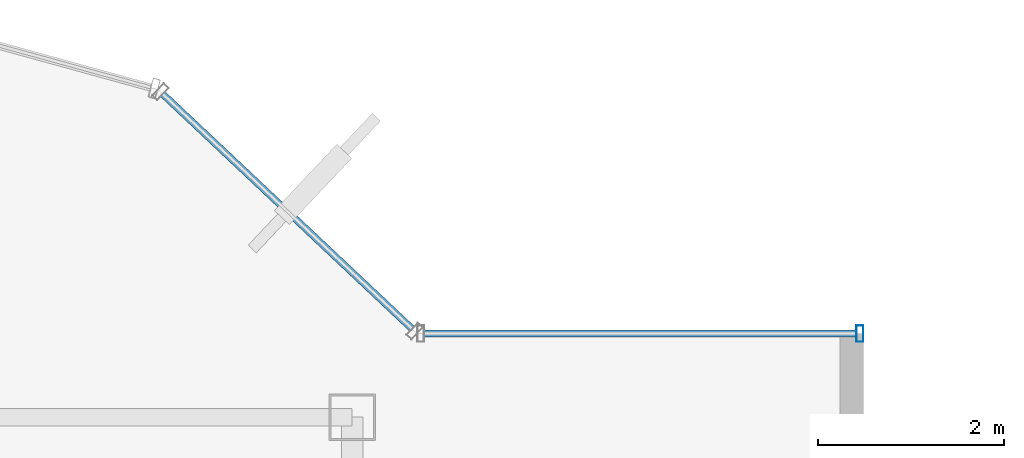
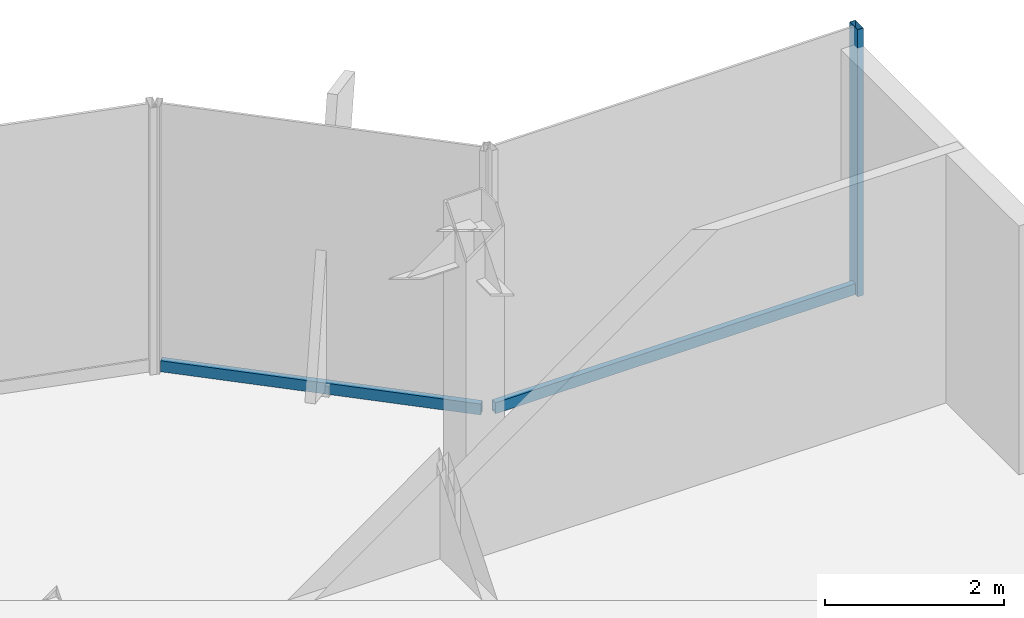
# One storey, part 15 of 22: 3 members, 2 elements without a shape of their own.
"""IFC4 building model written with IfcOpenShell, lengths in metres."""

from ifc_helpers import new_model, si_unit, derived_unit, direction, frame, origin, origin_2d, place, context, subcontext, project, spatial, hollow_rectangle, extrude, source, transform, mapped, material, material_profile, profile_set, type_object, element, aggregate, save


model = new_model("IFC4")

# Units and contexts
model_context = context("Model", 3, precision=1e-05, world=origin(), true_north=direction((0.0, 1.0)))
body_context = subcontext(model_context, "Body", "Model", "MODEL_VIEW")
ifc_project = project(units=[si_unit("LENGTHUNIT", "METRE"), si_unit("AREAUNIT", "SQUARE_METRE"), si_unit("VOLUMEUNIT", "CUBIC_METRE"), si_unit("PLANEANGLEUNIT", "RADIAN"), si_unit("MASSUNIT", "GRAM", prefix="KILO"), derived_unit("THERMALTRANSMITTANCEUNIT", [(si_unit("POWERUNIT", "WATT"), 1), (si_unit("LENGTHUNIT", "METRE"), -2), (si_unit("THERMODYNAMICTEMPERATUREUNIT", "KELVIN"), -1)])], contexts=[model_context])

# Site, building, storey
site_placement = place(None, origin())
site = spatial("IfcSite", under=ifc_project, at=site_placement, CompositionType="ELEMENT")
building_placement = place(site_placement, origin())
building = spatial("IfcBuilding", under=site, at=building_placement, Name="Skarnbrae Concourse Arena and Tower", CompositionType="ELEMENT")
storey_placement = place(building_placement, frame((0.0, 0.0, 199.550048828125)))
storey = spatial("IfcBuildingStorey", under=building, at=storey_placement, Name="L51", CompositionType="ELEMENT", Elevation=199.550048828125)

# Curtain wall, members
ifc_material = material(Name="Bronze anodised aluminium 6063-T6", Category="aluminium")
curtain_wall_type = type_object("IfcCurtainWallType", Name="CW-SYS-05-HIGHZONE", PredefinedType="USERDEFINED", material=ifc_material)
curtain_wall_1_placement = place(storey_placement, origin())
curtain_wall_1 = element("IfcCurtainWall", 1, at=curtain_wall_1_placement, inside=storey, type_object=curtain_wall_type, Name="L51 Unitised curtain wall CW-L51-E07", ObjectType="UNITISED CURTAIN WALL", PredefinedType="USERDEFINED")
ifc_material_profile_1 = material_profile(ifc_material, hollow_rectangle(XDim=0.074951171875, YDim=0.179931640625, WallThickness=0.00390625, at=origin_2d()), Name="ALU-MULL-75X180")
ifc_profile_set_1 = profile_set([ifc_material_profile_1], Name="Bronze anodised aluminium 6063-T6")
member_type_1 = type_object("IfcMemberType", Name="CWM-CW-05", PredefinedType="MULLION", material=ifc_profile_set_1)
shared_shape_1 = source(origin(), body_context, "Body", "SweptSolid", [
    extrude(hollow_rectangle(XDim=0.074951171875, YDim=0.179931640625, WallThickness=0.00390625, at=origin_2d()), origin(), (0.0, 0.0, 1.0), 3.64990234375),
])
member_1_placement = place(storey_placement, frame((38.96240234375, 35.300048828125, 0.0), z_axis=(0.0, 0.0, 1.0), x_axis=(-1.0, 0.0, 0.0)))
member_1 = element("IfcMember", 2, at=member_1_placement, type_object=member_type_1, Name="CW-L51-E07 Mullion 1", PredefinedType="MULLION", context=body_context, shape_type="MappedRepresentation", body=[
    mapped(shared_shape_1, transform((0.0, 0.0, 0.0))),
])
ifc_material_profile_2 = material_profile(ifc_material, hollow_rectangle(XDim=0.074951171875, YDim=0.14990234375, WallThickness=0.00390625, at=origin_2d()), Name="ALU-TRAN-75X150")
ifc_profile_set_2 = profile_set([ifc_material_profile_2], Name="Bronze anodised aluminium 6063-T6")
member_type_2 = type_object("IfcMemberType", Name="CWT-CW-05", PredefinedType="USERDEFINED", material=ifc_profile_set_2)
shared_shape_2 = source(origin(), body_context, "Body", "SweptSolid", [
    extrude(hollow_rectangle(XDim=0.074951171875, YDim=0.14990234375, WallThickness=0.00390625, at=origin_2d()), origin(), (0.0, 0.0, 1.0), 4.650146484375),
])
member_2_placement = place(storey_placement, frame((38.925048828125, 35.300048828125, 0.074951171875), z_axis=(-1.0, 0.0, 0.0), x_axis=(0.0, -1.0, 0.0)))
member_2 = element("IfcMember", 3, at=member_2_placement, type_object=member_type_2, Name="CW-L51-E07 Transom 1", ObjectType="TRANSOM", PredefinedType="USERDEFINED", context=body_context, shape_type="MappedRepresentation", body=[
    mapped(shared_shape_2, transform((0.0, 0.0, 0.0))),
])
aggregate(curtain_wall_1, [member_1, member_2])

# Curtain wall, member
curtain_wall_2_placement = place(storey_placement, origin())
curtain_wall_2 = element("IfcCurtainWall", 4, at=curtain_wall_2_placement, inside=storey, type_object=curtain_wall_type, Name="L51 Unitised curtain wall CW-L51-E08", ObjectType="UNITISED CURTAIN WALL", PredefinedType="USERDEFINED")
shared_shape_3 = source(origin(), body_context, "Body", "SweptSolid", [
    extrude(hollow_rectangle(XDim=0.074951171875, YDim=0.14990234375, WallThickness=0.00390625, at=origin_2d()), origin(), (0.0, 0.0, 1.0), 3.68212890625),
])
member_3_placement = place(storey_placement, frame((34.1455078125, 35.351318359375, 0.074951171875), z_axis=(-0.728133808476, 0.685435012933, 0.0), x_axis=(-0.685435012933, -0.728133808476, 0.0)))
member_3 = element("IfcMember", 5, at=member_3_placement, type_object=member_type_2, Name="CW-L51-E08 Transom 1", ObjectType="TRANSOM", PredefinedType="USERDEFINED", context=body_context, shape_type="MappedRepresentation", body=[
    mapped(shared_shape_3, transform((0.0, 0.0, 0.0))),
])
aggregate(curtain_wall_2, [member_3])

save(model, "model.ifc")
